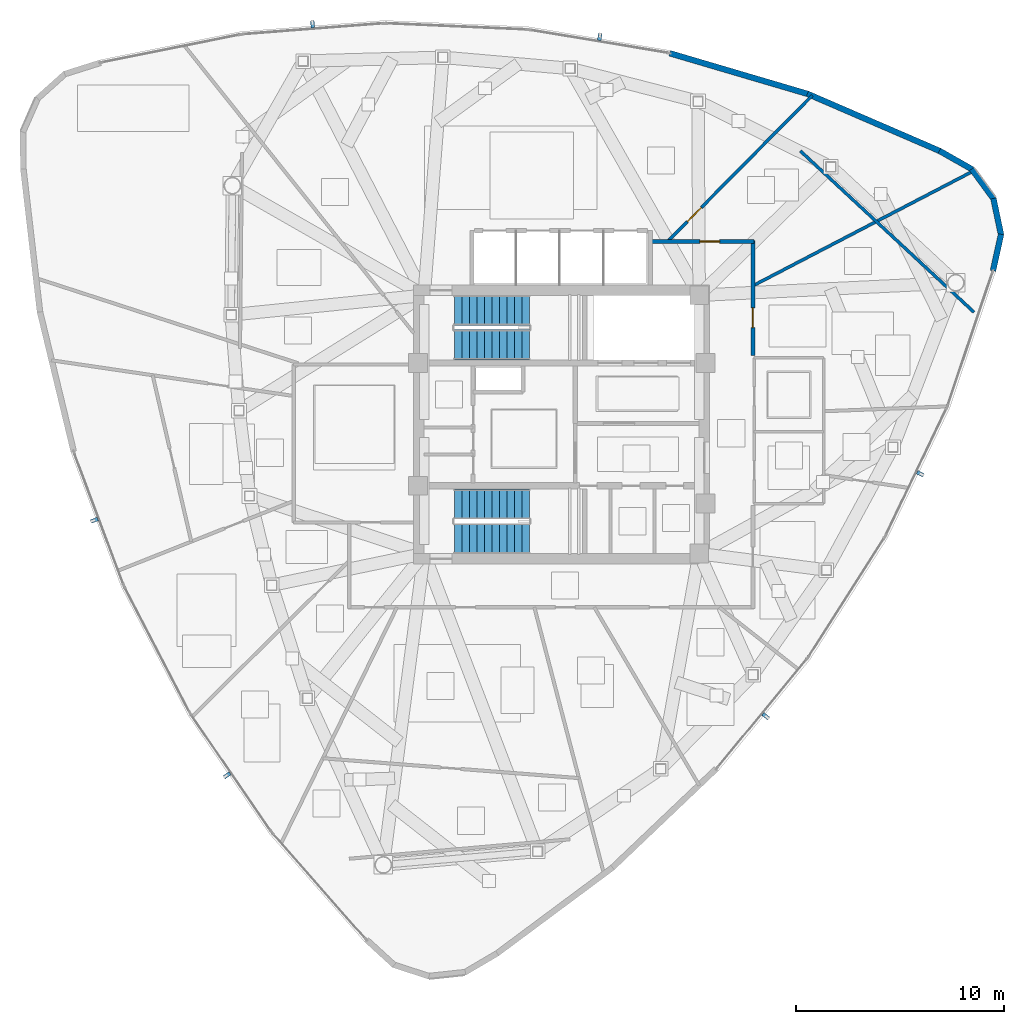
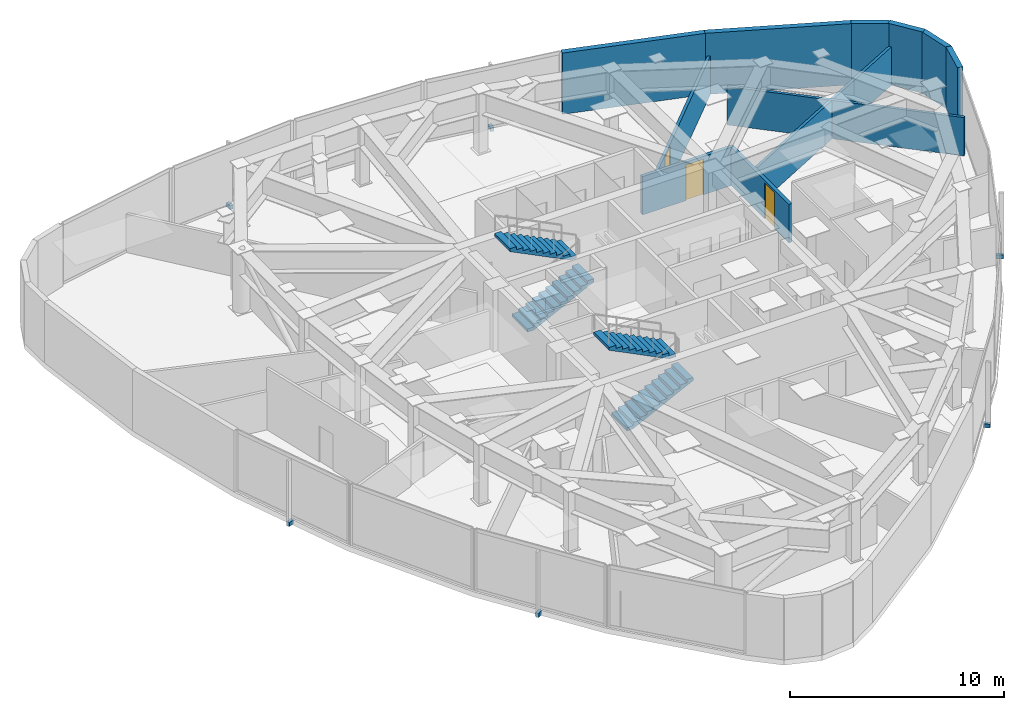
# One storey, part 10 of 13: 11 walls, 6 discrete accessories, 4 stair flights, 3 doors, 3 openings, 2 elements without a shape of their own.
"""IFC4 building model written with IfcOpenShell, lengths in metres."""

from ifc_helpers import new_model, si_unit, direction, frame, frame_2d, origin, origin_2d, place, context, subcontext, project, spatial, polyline, rectangle, outline, extrude, source, transform, mapped, material, layer, layer_set, type_object, type_shapes, element, fill, aggregate, save


model = new_model("IFC4")

# Units and contexts
model_context = context("Model", 3, precision=1e-05, world=origin(), true_north=direction((0.0, 1.0)))
body_context = subcontext(model_context, "Body", "Model", "MODEL_VIEW")
ifc_project = project(units=[si_unit("LENGTHUNIT", "METRE"), si_unit("AREAUNIT", "SQUARE_METRE"), si_unit("VOLUMEUNIT", "CUBIC_METRE"), si_unit("PLANEANGLEUNIT", "RADIAN"), si_unit("MASSUNIT", "GRAM", prefix="KILO")], contexts=[model_context])

# Site, building, storey
site_placement = place(None, origin())
site = spatial("IfcSite", under=ifc_project, at=site_placement, CompositionType="ELEMENT")
building_placement = place(site_placement, origin())
building = spatial("IfcBuilding", under=site, at=building_placement, Name="Tavelor Broadcast Tower", CompositionType="ELEMENT")
storey_placement = place(building_placement, frame((0.0, 0.0, 269.550048828125)))
storey = spatial("IfcBuildingStorey", under=building, at=storey_placement, Name="L64", CompositionType="ELEMENT", Elevation=269.550048828125)

# Wall, opening, door
ifc_material_1 = material(Name="Calcium Silicate Fire Board 180 mm", Category="gypsum")
ifc_layer_1 = layer(ifc_material_1, 0.179931640625)
ifc_layer_set_1 = layer_set([ifc_layer_1], Name="Calcium Silicate Fire Board 180 mm")
wall_type_1 = type_object("IfcWallType", Name="Fire-Rated Corridor Partition Wall 180 mm", PredefinedType="PARTITIONING", material=ifc_layer_set_1)
wall_1_placement = place(storey_placement, frame((54.300048828125, 53.780029296875, 0.0), z_axis=(0.0, 0.0, 1.0), x_axis=(1.0, 0.0, 0.0)))
wall_1 = element("IfcWall", 1, at=wall_1_placement, inside=storey, type_object=wall_type_1, Name="L64 Corridor Compartment Wall 01", PredefinedType="PARTITIONING", context=body_context, shape_type="SweptSolid", body=[
    extrude(rectangle(XDim=4.929931640625, YDim=0.179931640625, at=frame_2d((2.46484375, 0.0))), origin(), (0.0, 0.0, 1.0), 2.195068359375),
])
opening_1_placement = place(wall_1_placement, frame((2.3388671875, 0.0, 0.0)))
opening_1 = element("IfcOpeningElement", 2, at=opening_1_placement, cuts=wall_1, Name="Opening DR18", PredefinedType="OPENING", context=body_context, shape_type="SweptSolid", body=[
    extrude(rectangle(XDim=0.949951171875, YDim=2.050048828125, at=frame_2d((0.47509765625, 1.02490234375))), frame((0.0, 0.10009765625, 0.0), z_axis=(0.0, -1.0, 0.0), x_axis=(1.0, 0.0, 0.0)), (0.0, 0.0, 1.0), 0.199951171875),
])
ifc_material_2 = material(Name="Timber Solid Core Hardwood", Category="wood")
door_type = type_object("IfcDoorType", Name="Corridor Rated Compartment Door 950x2050", OperationType="NOTDEFINED", PredefinedType="DOOR", material=ifc_material_2)
door_1_placement = place(opening_1_placement, origin())
door_1 = element("IfcDoor", 3, at=door_1_placement, inside=storey, type_object=door_type, Name="L64 Catering Server Pantry Door R11", OperationType="SINGLE_SWING_RIGHT", OverallHeight=2.050048828125, OverallWidth=0.949951171875, PredefinedType="DOOR", context=body_context, shape_type="SweptSolid", body=[
    extrude(rectangle(XDim=0.949951171875, YDim=2.050048828125, at=frame_2d((0.47509765625, 1.02490234375))), frame((0.0, 0.02490234375, 0.0), z_axis=(0.0, -1.0, 0.0), x_axis=(1.0, 0.0, 0.0)), (0.0, 0.0, 1.0), 0.050048828125),
])
fill(opening_1, door_1)

wall_2_placement = place(storey_placement, frame((59.179931640625, 53.830078125, 0.0), z_axis=(0.0, 0.0, 1.0), x_axis=(0.0, -1.0, 0.0)))
wall_2 = element("IfcWall", 4, at=wall_2_placement, inside=storey, type_object=wall_type_1, Name="L64 Corridor Compartment Wall 02", PredefinedType="PARTITIONING", context=body_context, shape_type="SweptSolid", body=[
    extrude(rectangle(XDim=5.530029296875, YDim=0.179931640625, at=frame_2d((2.76513671875, 0.0))), origin(), (0.0, 0.0, 1.0), 2.195068359375),
])
opening_2_placement = place(wall_2_placement, frame((3.237548828125, 0.0, 0.0)))
opening_2 = element("IfcOpeningElement", 5, at=opening_2_placement, cuts=wall_2, Name="Opening DR18", PredefinedType="OPENING", context=body_context, shape_type="SweptSolid", body=[
    extrude(rectangle(XDim=0.949951171875, YDim=2.050048828125, at=frame_2d((0.47509765625, 1.02490234375))), frame((0.0, 0.10009765625, 0.0), z_axis=(0.0, -1.0, 0.0), x_axis=(1.0, 0.0, 0.0)), (0.0, 0.0, 1.0), 0.199951171875),
])
door_2_placement = place(opening_2_placement, origin())
door_2 = element("IfcDoor", 6, at=door_2_placement, inside=storey, type_object=door_type, Name="L64 Press Concierge Desk Door R12", OperationType="SINGLE_SWING_LEFT", OverallHeight=2.050048828125, OverallWidth=0.949951171875, PredefinedType="DOOR", context=body_context, shape_type="SweptSolid", body=[
    extrude(rectangle(XDim=0.949951171875, YDim=2.050048828125, at=frame_2d((0.47509765625, 1.02490234375))), frame((0.0, 0.02490234375, 0.0), z_axis=(0.0, -1.0, 0.0), x_axis=(1.0, 0.0, 0.0)), (0.0, 0.0, 1.0), 0.050048828125),
])
fill(opening_2, door_2)

# Walls
ifc_material_3 = material(Name="Precast Concrete C40/50", Category="concrete")
ifc_layer_2 = layer(ifc_material_3, 0.280029296875)
ifc_layer_set_2 = layer_set([ifc_layer_2], Name="Precast Concrete C40/50")
wall_type_2 = type_object("IfcWallType", Name="Insulated Precast Terracotta Facade Wall 280 mm", PredefinedType="STANDARD", material=ifc_layer_set_2)
wall_3_placement = place(storey_placement, frame((70.706787109375, 52.372314453125, 0.0), z_axis=(0.0, 0.0, 1.0), x_axis=(0.215478201937, 0.976508650494, 0.0)))
element("IfcWall", 7, at=wall_3_placement, inside=storey, type_object=wall_type_2, Name="L64 Rounded Corner Structural Cladding Pier 21", PredefinedType="STANDARD", context=body_context, shape_type="SweptSolid", body=[
    extrude(rectangle(XDim=1.798095703125, YDim=0.280029296875, at=frame_2d((0.89892578125, 0.0))), origin(), (0.0, 0.0, 1.0), 3.5),
])
wall_4_placement = place(storey_placement, frame((71.09423828125, 54.098876953125, 0.0), z_axis=(0.0, 0.0, 1.0), x_axis=(-0.20541120813, 0.978675756098, 0.0)))
element("IfcWall", 8, at=wall_4_placement, inside=storey, type_object=wall_type_2, Name="L64 Rounded Corner Structural Cladding Pier 22", PredefinedType="STANDARD", context=body_context, shape_type="SweptSolid", body=[
    extrude(rectangle(XDim=1.786376953125, YDim=0.280029296875, at=frame_2d((0.89306640625, 0.0))), origin(), (0.0, 0.0, 1.0), 3.5),
])
wall_5_placement = place(storey_placement, frame((70.7392578125, 55.8203125, 0.0), z_axis=(0.0, 0.0, 1.0), x_axis=(-0.589852141092, 0.807511270292, 0.0)))
element("IfcWall", 9, at=wall_5_placement, inside=storey, type_object=wall_type_2, Name="L64 Rounded Corner Structural Cladding Pier 23", PredefinedType="STANDARD", context=body_context, shape_type="SweptSolid", body=[
    extrude(rectangle(XDim=1.786865234375, YDim=0.280029296875, at=frame_2d((0.8935546875, 0.0))), origin(), (0.0, 0.0, 1.0), 3.5),
])
wall_6_placement = place(storey_placement, frame((69.707275390625, 57.24365234375, 0.0), z_axis=(0.0, 0.0, 1.0), x_axis=(-0.86998166577, 0.493084071153, 0.0)))
element("IfcWall", 10, at=wall_6_placement, inside=storey, type_object=wall_type_2, Name="L64 Rounded Corner Structural Cladding Pier 24", PredefinedType="STANDARD", context=body_context, shape_type="SweptSolid", body=[
    extrude(rectangle(XDim=1.809326171875, YDim=0.280029296875, at=frame_2d((0.90478515625, 0.0))), origin(), (0.0, 0.0, 1.0), 3.5),
])
wall_7_placement = place(storey_placement, frame((68.16015625, 58.122314453125, 0.0), z_axis=(0.0, 0.0, 1.0), x_axis=(-0.917910450848, 0.396787605936, 0.0)))
element("IfcWall", 11, at=wall_7_placement, inside=storey, type_object=wall_type_2, Name="L64 Rounded Corner Structural Cladding Pier 25", PredefinedType="STANDARD", context=body_context, shape_type="SweptSolid", body=[
    extrude(rectangle(XDim=6.929443359375, YDim=0.280029296875, at=frame_2d((3.46484375, 0.0))), origin(), (0.0, 0.0, 1.0), 3.5),
])
wall_8_placement = place(storey_placement, frame((61.82763671875, 60.86181640625, 0.0), z_axis=(0.0, 0.0, 1.0), x_axis=(-0.959198421643, 0.282733775693, 0.0)))
element("IfcWall", 12, at=wall_8_placement, inside=storey, type_object=wall_type_2, Name="L64 Rounded Corner Structural Cladding Pier 26", PredefinedType="STANDARD", context=body_context, shape_type="SweptSolid", body=[
    extrude(rectangle(XDim=6.91748046875, YDim=0.280029296875, at=frame_2d((3.458740234375, 0.0))), origin(), (0.0, 0.0, 1.0), 3.5),
])
ifc_material_4 = material(Name="Gypsum Acoustic Plasterboard 150 mm", Category="gypsum")
ifc_layer_3 = layer(ifc_material_4, 0.14990234375)
ifc_layer_set_3 = layer_set([ifc_layer_3], Name="Gypsum Acoustic Plasterboard 150 mm")
wall_type_3 = type_object("IfcWallType", Name="Interior Acoustic Partition Wall 150 mm", PredefinedType="PARTITIONING", material=ifc_layer_set_3)
wall_9_placement = place(storey_placement, frame((69.79248046875, 50.387939453125, 0.0), z_axis=(0.0, 0.0, 1.0), x_axis=(-0.732769799181, 0.680476613418, 0.0)))
element("IfcWall", 13, at=wall_9_placement, inside=storey, type_object=wall_type_3, Name="L64 Corner Tube Brace Furring Wall 3", PredefinedType="PARTITIONING", context=body_context, shape_type="SweptSolid", body=[
    extrude(rectangle(XDim=11.377685546875, YDim=0.14990234375, at=frame_2d((5.68896484375, 0.0))), origin(), (0.0, 0.0, 1.0), 2.195068359375),
])
wall_10_placement = place(storey_placement, frame((59.179931640625, 51.65380859375, 0.0), z_axis=(0.0, 0.0, 1.0), x_axis=(0.886985643628, 0.461796998689, 0.0)))
element("IfcWall", 14, at=wall_10_placement, inside=storey, type_object=wall_type_3, Name="L64 Radial Compartment Wall 12", PredefinedType="PARTITIONING", context=body_context, shape_type="SweptSolid", body=[
    extrude(rectangle(XDim=11.9375, YDim=0.14990234375, at=frame_2d((5.96875, 0.0))), origin(), (0.0, 0.0, 1.0), 2.195068359375),
])

# Wall, opening, door
wall_11_placement = place(storey_placement, frame((55.0908203125, 53.780029296875, 0.0), z_axis=(0.0, 0.0, 1.0), x_axis=(0.703481300476, 0.710713767899, 0.0)))
wall_11 = element("IfcWall", 15, at=wall_11_placement, inside=storey, type_object=wall_type_3, Name="L64 Radial Compartment Wall 13", PredefinedType="PARTITIONING", context=body_context, shape_type="SweptSolid", body=[
    extrude(rectangle(XDim=9.856689453125, YDim=0.14990234375, at=frame_2d((4.92822265625, 0.0))), origin(), (0.0, 0.0, 1.0), 2.195068359375),
])
opening_3_placement = place(wall_11_placement, frame((1.35009765625, 0.0, 0.0)))
opening_3 = element("IfcOpeningElement", 16, at=opening_3_placement, cuts=wall_11, Name="Opening DR18", PredefinedType="OPENING", context=body_context, shape_type="SweptSolid", body=[
    extrude(rectangle(XDim=0.949951171875, YDim=2.050048828125, at=frame_2d((0.47509765625, 1.02490234375))), frame((0.0, 0.0849609375, 0.0), z_axis=(0.0, -1.0, 0.0), x_axis=(1.0, 0.0, 0.0)), (0.0, 0.0, 1.0), 0.169921875),
])
door_3_placement = place(opening_3_placement, origin())
door_3 = element("IfcDoor", 17, at=door_3_placement, inside=storey, type_object=door_type, Name="L64 Suite Connecting Door 10", OperationType="SINGLE_SWING_LEFT", OverallHeight=2.050048828125, OverallWidth=0.949951171875, PredefinedType="DOOR", context=body_context, shape_type="SweptSolid", body=[
    extrude(rectangle(XDim=0.949951171875, YDim=2.050048828125, at=frame_2d((0.47509765625, 1.02490234375))), frame((0.0, 0.02490234375, 0.0), z_axis=(0.0, -1.0, 0.0), x_axis=(1.0, 0.0, 0.0)), (0.0, 0.0, 1.0), 0.050048828125),
])
fill(opening_3, door_3)

# Stair, stair flights
ifc_material_5 = material(Name="Concrete C40/50", Category="concrete")
stair_type = type_object("IfcStairType", Name="Reinforced Concrete Protected Dogleg Stair 1450 mm", PredefinedType="HALF_TURN_STAIR", material=ifc_material_5)
stair_1_placement = place(storey_placement, origin())
stair_1 = element("IfcStair", 18, at=stair_1_placement, inside=storey, type_object=stair_type, Name="L64 Protected Core Exit Stair ST1", PredefinedType="HALF_TURN_STAIR")
stair_flight_type = type_object("IfcStairFlightType", Name="Reinforced Concrete Stair Flight 1450 mm", PredefinedType="STRAIGHT", material=ifc_material_5)
stair_flight_1_placement = place(storey_placement, frame((44.85009765625, 48.824951171875, 0.0), z_axis=(0.0, 0.0, 1.0), x_axis=(1.0, 0.0, 0.0)))
stair_flight_1 = element("IfcStairFlight", 19, at=stair_flight_1_placement, type_object=stair_flight_type, Name="ST1 flight 1", NumberOfRisers=11, NumberOfTreads=10, PredefinedType="STRAIGHT", RiserHeight=0.179545455, TreadLength=0.36, context=body_context, shape_type="SweptSolid", body=[
    extrude(outline(polyline([(0.0, 0.0), (0.0, 0.179443359375), (0.360107421875, 0.179443359375), (0.360107421875, 0.359130859375), (0.719970703125, 0.359130859375), (0.719970703125, 0.53857421875), (1.080078125, 0.53857421875), (1.080078125, 0.71826171875), (1.43994140625, 0.71826171875), (1.43994140625, 0.897705078125), (1.800048828125, 0.897705078125), (1.800048828125, 1.077392578125), (2.159912109375, 1.077392578125), (2.159912109375, 1.2568359375), (2.52001953125, 1.2568359375), (2.52001953125, 1.436279296875), (2.8798828125, 1.436279296875), (2.8798828125, 1.615966796875), (3.239990234375, 1.615966796875), (3.239990234375, 1.79541015625), (3.60009765625, 1.79541015625), (3.60009765625, 1.97509765625), (3.60009765625, 1.6279296875), (0.3359375, 0.0), (0.0, 0.0)])), frame((0.0, 0.72509765625, 0.0), z_axis=(0.0, -1.0, 0.0), x_axis=(1.0, 0.0, 0.0)), (0.0, 0.0, 1.0), 1.449951171875),
])
stair_flight_2_placement = place(storey_placement, frame((48.449951171875, 50.47509765625, 1.974853515625), z_axis=(0.0, 0.0, 1.0), x_axis=(-1.0, 0.0, 0.0)))
stair_flight_2 = element("IfcStairFlight", 20, at=stair_flight_2_placement, type_object=stair_flight_type, Name="ST1 flight 2", NumberOfRisers=11, NumberOfTreads=10, PredefinedType="STRAIGHT", RiserHeight=0.179545455, TreadLength=0.36, context=body_context, shape_type="SweptSolid", body=[
    extrude(outline(polyline([(0.0, 0.0), (0.0, 0.179443359375), (0.360107421875, 0.179443359375), (0.360107421875, 0.359130859375), (0.719970703125, 0.359130859375), (0.719970703125, 0.53857421875), (1.080078125, 0.53857421875), (1.080078125, 0.71826171875), (1.43994140625, 0.71826171875), (1.43994140625, 0.897705078125), (1.800048828125, 0.897705078125), (1.800048828125, 1.077392578125), (2.159912109375, 1.077392578125), (2.159912109375, 1.2568359375), (2.52001953125, 1.2568359375), (2.52001953125, 1.436279296875), (2.8798828125, 1.436279296875), (2.8798828125, 1.615966796875), (3.239990234375, 1.615966796875), (3.239990234375, 1.79541015625), (3.60009765625, 1.79541015625), (3.60009765625, 1.97509765625), (3.60009765625, 1.6279296875), (0.3359375, 0.0), (0.0, 0.0)])), frame((0.0, 0.72509765625, 0.0), z_axis=(0.0, -1.0, 0.0), x_axis=(1.0, 0.0, 0.0)), (0.0, 0.0, 1.0), 1.449951171875),
])
aggregate(stair_1, [stair_flight_1, stair_flight_2])

stair_2_placement = place(storey_placement, origin())
stair_2 = element("IfcStair", 21, at=stair_2_placement, inside=storey, type_object=stair_type, Name="L64 Protected Core Exit Stair ST2", PredefinedType="HALF_TURN_STAIR")
stair_flight_3_placement = place(storey_placement, frame((44.85009765625, 39.52490234375, 0.0), z_axis=(0.0, 0.0, 1.0), x_axis=(1.0, 0.0, 0.0)))
stair_flight_3 = element("IfcStairFlight", 22, at=stair_flight_3_placement, type_object=stair_flight_type, Name="ST2 flight 1", NumberOfRisers=11, NumberOfTreads=10, PredefinedType="STRAIGHT", RiserHeight=0.179545455, TreadLength=0.36, context=body_context, shape_type="SweptSolid", body=[
    extrude(outline(polyline([(0.0, 0.0), (0.0, 0.179443359375), (0.360107421875, 0.179443359375), (0.360107421875, 0.359130859375), (0.719970703125, 0.359130859375), (0.719970703125, 0.53857421875), (1.080078125, 0.53857421875), (1.080078125, 0.71826171875), (1.43994140625, 0.71826171875), (1.43994140625, 0.897705078125), (1.800048828125, 0.897705078125), (1.800048828125, 1.077392578125), (2.159912109375, 1.077392578125), (2.159912109375, 1.2568359375), (2.52001953125, 1.2568359375), (2.52001953125, 1.436279296875), (2.8798828125, 1.436279296875), (2.8798828125, 1.615966796875), (3.239990234375, 1.615966796875), (3.239990234375, 1.79541015625), (3.60009765625, 1.79541015625), (3.60009765625, 1.97509765625), (3.60009765625, 1.6279296875), (0.3359375, 0.0), (0.0, 0.0)])), frame((0.0, 0.72509765625, 0.0), z_axis=(0.0, -1.0, 0.0), x_axis=(1.0, 0.0, 0.0)), (0.0, 0.0, 1.0), 1.449951171875),
])
stair_flight_4_placement = place(storey_placement, frame((48.449951171875, 41.175048828125, 1.974853515625), z_axis=(0.0, 0.0, 1.0), x_axis=(-1.0, 0.0, 0.0)))
stair_flight_4 = element("IfcStairFlight", 23, at=stair_flight_4_placement, type_object=stair_flight_type, Name="ST2 flight 2", NumberOfRisers=11, NumberOfTreads=10, PredefinedType="STRAIGHT", RiserHeight=0.179545455, TreadLength=0.36, context=body_context, shape_type="SweptSolid", body=[
    extrude(outline(polyline([(0.0, 0.0), (0.0, 0.179443359375), (0.360107421875, 0.179443359375), (0.360107421875, 0.359130859375), (0.719970703125, 0.359130859375), (0.719970703125, 0.53857421875), (1.080078125, 0.53857421875), (1.080078125, 0.71826171875), (1.43994140625, 0.71826171875), (1.43994140625, 0.897705078125), (1.800048828125, 0.897705078125), (1.800048828125, 1.077392578125), (2.159912109375, 1.077392578125), (2.159912109375, 1.2568359375), (2.52001953125, 1.2568359375), (2.52001953125, 1.436279296875), (2.8798828125, 1.436279296875), (2.8798828125, 1.615966796875), (3.239990234375, 1.615966796875), (3.239990234375, 1.79541015625), (3.60009765625, 1.79541015625), (3.60009765625, 1.97509765625), (3.60009765625, 1.6279296875), (0.3359375, 0.0), (0.0, 0.0)])), frame((0.0, 0.72509765625, 0.0), z_axis=(0.0, -1.0, 0.0), x_axis=(1.0, 0.0, 0.0)), (0.0, 0.0, 1.0), 1.449951171875),
])
aggregate(stair_2, [stair_flight_3, stair_flight_4])

# Discrete accessories
ifc_material_6 = material(Name="Steel S355", Category="steel")
discrete_accessory_type = type_object("IfcDiscreteAccessoryType", Name="Stainless Baguette Outrigger Support Bracket 260x180", PredefinedType="BRACKET", material=ifc_material_6)
shared_shape = source(origin(), body_context, "Body", "SweptSolid", [
    extrude(rectangle(XDim=0.179931640625, YDim=0.340087890625, at=origin_2d()), origin(), (0.0, 0.0, 1.0), 0.216064453125),
])
type_shapes(discrete_accessory_type, [shared_shape])
for number, where, z_axis, x_axis, name in (
    (24, (27.575439453125, 40.402099609375, -0.25830078125), (0.0, 0.0, 1.0), (0.350697773643, -0.936488692704, 0.0), "L64 Baguette Outrigger Bracket 655"),
    (25, (33.942138671875, 28.158935546875, -0.25830078125), (0.0, 0.0, 1.0), (0.565398954378, -0.824817569156, 0.0), "L64 Baguette Outrigger Bracket 656"),
    (26, (59.794189453125, 30.99658203125, -0.25830078125), (0.0, 0.0, 1.0), (0.63580883374, 0.771846569558, 0.0), "L64 Baguette Outrigger Bracket 657"),
    (27, (67.213623046875, 42.631591796875, -0.25830078125), (0.0, 0.0, 1.0), (0.431613491188, 0.902058642343, 0.0), "L64 Baguette Outrigger Bracket 658"),
    (28, (51.830322265625, 63.601318359375, -0.25830078125), (0.0, 0.0, 1.0), (-0.98637188506, 0.164531165327, 0.0), "L64 Baguette Outrigger Bracket 659"),
    (29, (38.044189453125, 64.209228515625, -0.25830078125), (0.0, 0.0, 1.0), (-0.997012445566, -0.077241073187, 0.0), "L64 Baguette Outrigger Bracket 660"),
):
    element("IfcDiscreteAccessory", number, at=place(storey_placement, frame(where, z_axis=z_axis, x_axis=x_axis)), inside=storey, type_object=discrete_accessory_type, Name=name, PredefinedType="BRACKET", context=body_context, shape_type="MappedRepresentation", body=[
        mapped(shared_shape, transform((0.0, 0.0, 0.0), scale=1.0)),
    ])

save(model, "model.ifc")
